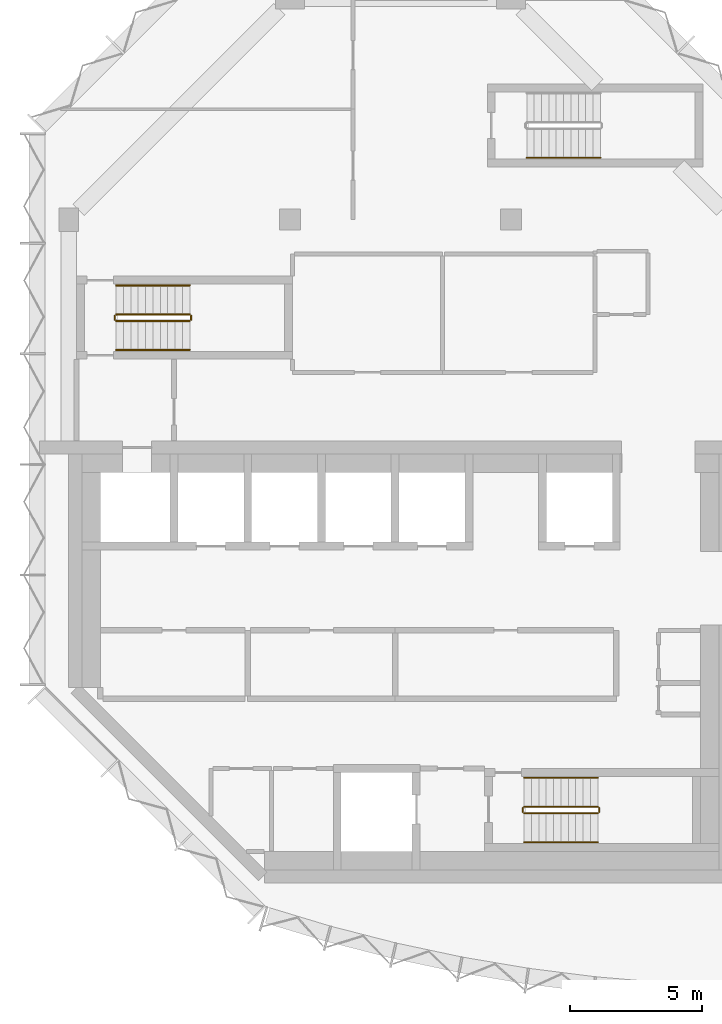
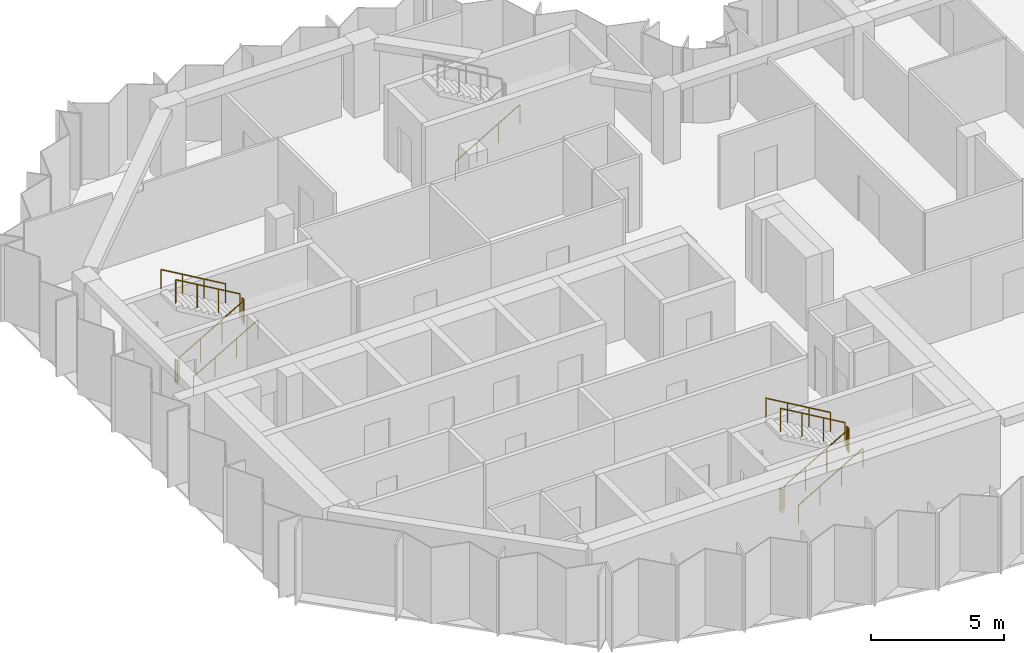
# One storey, part 9 of 10: 13 railings.
"""IFC4 building model written with IfcOpenShell, lengths in metres."""

from ifc_helpers import new_model, si_unit, direction, frame, origin, origin_2d, place, context, subcontext, project, spatial, circle, extrude, material, type_object, element, save


model = new_model("IFC4")

# Units and contexts
model_context = context("Model", 3, precision=1e-05, world=origin(), true_north=direction((0.0, 1.0)))
body_context = subcontext(model_context, "Body", "Model", "MODEL_VIEW")
ifc_project = project(units=[si_unit("LENGTHUNIT", "METRE"), si_unit("AREAUNIT", "SQUARE_METRE"), si_unit("VOLUMEUNIT", "CUBIC_METRE"), si_unit("PLANEANGLEUNIT", "RADIAN"), si_unit("MASSUNIT", "GRAM", prefix="KILO")], contexts=[model_context])

# Site, building, storey
site_placement = place(None, origin())
site = spatial("IfcSite", under=ifc_project, at=site_placement, CompositionType="ELEMENT")
building_placement = place(site_placement, origin())
building = spatial("IfcBuilding", under=site, at=building_placement, Name="Brevane Broadcast Tower", CompositionType="ELEMENT")
storey_placement = place(building_placement, frame((0.0, 0.0, 230.10009765625)))
storey = spatial("IfcBuildingStorey", under=building, at=storey_placement, Name="L58", CompositionType="ELEMENT", Elevation=230.10009765625)

# Railings
ifc_material = material(Name="Steel S355", Category="steel")
railing_type_1 = type_object("IfcRailingType", Name="Exit stair guard", PredefinedType="GUARDRAIL", material=ifc_material)
railing_1_placement = place(storey_placement, frame((1.800048828125, 21.35009765625, 0.16357421875)))
element("IfcRailing", 1, at=railing_1_placement, inside=storey, type_object=railing_type_1, Name="L58 ST-1 stair guard 1", PredefinedType="GUARDRAIL", context=body_context, shape_type="SweptSolid", body=[
    extrude(circle(Radius=0.02392578125, at=origin_2d()), frame((0.0, 0.0, 1.076171875), z_axis=(0.863393664356, 0.0, 0.504530851732), x_axis=(0.0, 1.0, 0.0)), (0.0, 0.0, 1.0), 3.2431640625),
    extrude(circle(Radius=0.02099609375, at=origin_2d()), origin(), (0.0, 0.0, 1.0), 1.052001953125),
    extrude(circle(Radius=0.02099609375, at=origin_2d()), frame((0.933349609375, 0.0, 0.54541015625)), (0.0, 0.0, 1.0), 1.052001953125),
    extrude(circle(Radius=0.02099609375, at=origin_2d()), frame((1.86669921875, 0.0, 1.0908203125)), (0.0, 0.0, 1.0), 1.052001953125),
    extrude(circle(Radius=0.02099609375, at=origin_2d()), frame((2.800048828125, 0.0, 1.63623046875)), (0.0, 0.0, 1.0), 1.052001953125),
])
railing_2_placement = place(storey_placement, frame((4.64990234375, 21.39990234375, 1.7998046875)))
element("IfcRailing", 2, at=railing_2_placement, inside=storey, type_object=railing_type_1, Name="L58 ST-1 stair guard 2", PredefinedType="GUARDRAIL", context=body_context, shape_type="SweptSolid", body=[
    extrude(circle(Radius=0.02392578125, at=origin_2d()), frame((0.0, 0.0, 1.076171875), z_axis=(0.0, 1.0, 0.0), x_axis=(-1.0, 0.0, 0.0)), (0.0, 0.0, 1.0), 0.150146484375),
    extrude(circle(Radius=0.02099609375, at=origin_2d()), origin(), (0.0, 0.0, 1.0), 1.052001953125),
    extrude(circle(Radius=0.02099609375, at=origin_2d()), frame((0.0, 0.150146484375, 0.0)), (0.0, 0.0, 1.0), 1.052001953125),
])
railing_3_placement = place(storey_placement, frame((4.60009765625, 21.60009765625, 1.963623046875)))
element("IfcRailing", 3, at=railing_3_placement, inside=storey, type_object=railing_type_1, Name="L58 ST-1 stair guard 3", PredefinedType="GUARDRAIL", context=body_context, shape_type="SweptSolid", body=[
    extrude(circle(Radius=0.02392578125, at=origin_2d()), frame((0.0, 0.0, 1.076171875), z_axis=(-0.863393664356, 0.0, 0.504530851732), x_axis=(0.0, -1.0, 0.0)), (0.0, 0.0, 1.0), 3.2431640625),
    extrude(circle(Radius=0.02099609375, at=origin_2d()), origin(), (0.0, 0.0, 1.0), 1.052001953125),
    extrude(circle(Radius=0.02099609375, at=origin_2d()), frame((-0.933349609375, 0.0, 0.54541015625)), (0.0, 0.0, 1.0), 1.052001953125),
    extrude(circle(Radius=0.02099609375, at=origin_2d()), frame((-1.86669921875, 0.0, 1.0908203125)), (0.0, 0.0, 1.0), 1.052001953125),
    extrude(circle(Radius=0.02099609375, at=origin_2d()), frame((-2.800048828125, 0.0, 1.63623046875)), (0.0, 0.0, 1.0), 1.052001953125),
])
railing_4_placement = place(storey_placement, frame((1.75, 21.39990234375, 0.0)))
element("IfcRailing", 4, at=railing_4_placement, inside=storey, type_object=railing_type_1, Name="L58 ST-1 stair guard 4", PredefinedType="GUARDRAIL", context=body_context, shape_type="SweptSolid", body=[
    extrude(circle(Radius=0.02392578125, at=origin_2d()), frame((0.0, 0.0, 1.076171875), z_axis=(0.0, 1.0, 0.0), x_axis=(-1.0, 0.0, 0.0)), (0.0, 0.0, 1.0), 0.150146484375),
    extrude(circle(Radius=0.02099609375, at=origin_2d()), origin(), (0.0, 0.0, 1.0), 1.052001953125),
    extrude(circle(Radius=0.02099609375, at=origin_2d()), frame((0.0, 0.150146484375, 0.0)), (0.0, 0.0, 1.0), 1.052001953125),
])
railing_5_placement = place(storey_placement, frame((17.300048828125, 2.64990234375, 0.16357421875)))
element("IfcRailing", 5, at=railing_5_placement, inside=storey, type_object=railing_type_1, Name="L58 ST-2 stair guard 1", PredefinedType="GUARDRAIL", context=body_context, shape_type="SweptSolid", body=[
    extrude(circle(Radius=0.02392578125, at=origin_2d()), frame((0.0, 0.0, 1.076171875), z_axis=(0.863393664356, 0.0, 0.504530851732), x_axis=(0.0, 1.0, 0.0)), (0.0, 0.0, 1.0), 3.2431640625),
    extrude(circle(Radius=0.02099609375, at=origin_2d()), origin(), (0.0, 0.0, 1.0), 1.052001953125),
    extrude(circle(Radius=0.02099609375, at=origin_2d()), frame((0.933349609375, 0.0, 0.54541015625)), (0.0, 0.0, 1.0), 1.052001953125),
    extrude(circle(Radius=0.02099609375, at=origin_2d()), frame((1.86669921875, 0.0, 1.0908203125)), (0.0, 0.0, 1.0), 1.052001953125),
    extrude(circle(Radius=0.02099609375, at=origin_2d()), frame((2.800048828125, 0.0, 1.63623046875)), (0.0, 0.0, 1.0), 1.052001953125),
])
railing_6_placement = place(storey_placement, frame((20.14990234375, 2.699951171875, 1.7998046875)))
element("IfcRailing", 6, at=railing_6_placement, inside=storey, type_object=railing_type_1, Name="L58 ST-2 stair guard 2", PredefinedType="GUARDRAIL", context=body_context, shape_type="SweptSolid", body=[
    extrude(circle(Radius=0.02392578125, at=origin_2d()), frame((0.0, 0.0, 1.076171875), z_axis=(0.0, 1.0, 0.0), x_axis=(-1.0, 0.0, 0.0)), (0.0, 0.0, 1.0), 0.150146484375),
    extrude(circle(Radius=0.02099609375, at=origin_2d()), origin(), (0.0, 0.0, 1.0), 1.052001953125),
    extrude(circle(Radius=0.02099609375, at=origin_2d()), frame((0.0, 0.150146484375, 0.0)), (0.0, 0.0, 1.0), 1.052001953125),
])
railing_7_placement = place(storey_placement, frame((20.10009765625, 2.89990234375, 1.963623046875)))
element("IfcRailing", 7, at=railing_7_placement, inside=storey, type_object=railing_type_1, Name="L58 ST-2 stair guard 3", PredefinedType="GUARDRAIL", context=body_context, shape_type="SweptSolid", body=[
    extrude(circle(Radius=0.02392578125, at=origin_2d()), frame((0.0, 0.0, 1.076171875), z_axis=(-0.863393664356, 0.0, 0.504530851732), x_axis=(0.0, -1.0, 0.0)), (0.0, 0.0, 1.0), 3.2431640625),
    extrude(circle(Radius=0.02099609375, at=origin_2d()), origin(), (0.0, 0.0, 1.0), 1.052001953125),
    extrude(circle(Radius=0.02099609375, at=origin_2d()), frame((-0.933349609375, 0.0, 0.54541015625)), (0.0, 0.0, 1.0), 1.052001953125),
    extrude(circle(Radius=0.02099609375, at=origin_2d()), frame((-1.86669921875, 0.0, 1.0908203125)), (0.0, 0.0, 1.0), 1.052001953125),
    extrude(circle(Radius=0.02099609375, at=origin_2d()), frame((-2.800048828125, 0.0, 1.63623046875)), (0.0, 0.0, 1.0), 1.052001953125),
])
railing_8_placement = place(storey_placement, frame((17.25, 2.699951171875, 0.0)))
element("IfcRailing", 8, at=railing_8_placement, inside=storey, type_object=railing_type_1, Name="L58 ST-2 stair guard 4", PredefinedType="GUARDRAIL", context=body_context, shape_type="SweptSolid", body=[
    extrude(circle(Radius=0.02392578125, at=origin_2d()), frame((0.0, 0.0, 1.076171875), z_axis=(0.0, 1.0, 0.0), x_axis=(-1.0, 0.0, 0.0)), (0.0, 0.0, 1.0), 0.150146484375),
    extrude(circle(Radius=0.02099609375, at=origin_2d()), origin(), (0.0, 0.0, 1.0), 1.052001953125),
    extrude(circle(Radius=0.02099609375, at=origin_2d()), frame((0.0, 0.150146484375, 0.0)), (0.0, 0.0, 1.0), 1.052001953125),
])
railing_type_2 = type_object("IfcRailingType", Name="Exit stair handrail", PredefinedType="HANDRAIL", material=ifc_material)
railing_9_placement = place(storey_placement, frame((1.800048828125, 20.25, 0.16357421875)))
element("IfcRailing", 9, at=railing_9_placement, inside=storey, type_object=railing_type_2, Name="L58 ST-1 stair handrail 1", PredefinedType="HANDRAIL", context=body_context, shape_type="SweptSolid", body=[
    extrude(circle(Radius=0.02392578125, at=origin_2d()), frame((0.0, 0.0, 0.8759765625), z_axis=(0.863393664356, 0.0, 0.504530851732), x_axis=(0.0, 1.0, 0.0)), (0.0, 0.0, 1.0), 3.2431640625),
    extrude(circle(Radius=0.02099609375, at=origin_2d()), origin(), (0.0, 0.0, 1.0), 0.851806640625),
    extrude(circle(Radius=0.02099609375, at=origin_2d()), frame((0.933349609375, 0.0, 0.54541015625)), (0.0, 0.0, 1.0), 0.851806640625),
    extrude(circle(Radius=0.02099609375, at=origin_2d()), frame((1.86669921875, 0.0, 1.0908203125)), (0.0, 0.0, 1.0), 0.851806640625),
    extrude(circle(Radius=0.02099609375, at=origin_2d()), frame((2.800048828125, 0.0, 1.63623046875)), (0.0, 0.0, 1.0), 0.851806640625),
])
railing_10_placement = place(storey_placement, frame((4.60009765625, 22.699951171875, 1.963623046875)))
element("IfcRailing", 10, at=railing_10_placement, inside=storey, type_object=railing_type_2, Name="L58 ST-1 stair handrail 2", PredefinedType="HANDRAIL", context=body_context, shape_type="SweptSolid", body=[
    extrude(circle(Radius=0.02392578125, at=origin_2d()), frame((0.0, 0.0, 0.8759765625), z_axis=(-0.863393664356, 0.0, 0.504530851732), x_axis=(0.0, -1.0, 0.0)), (0.0, 0.0, 1.0), 3.2431640625),
    extrude(circle(Radius=0.02099609375, at=origin_2d()), origin(), (0.0, 0.0, 1.0), 0.851806640625),
    extrude(circle(Radius=0.02099609375, at=origin_2d()), frame((-0.933349609375, 0.0, 0.54541015625)), (0.0, 0.0, 1.0), 0.851806640625),
    extrude(circle(Radius=0.02099609375, at=origin_2d()), frame((-1.86669921875, 0.0, 1.0908203125)), (0.0, 0.0, 1.0), 0.851806640625),
    extrude(circle(Radius=0.02099609375, at=origin_2d()), frame((-2.800048828125, 0.0, 1.63623046875)), (0.0, 0.0, 1.0), 0.851806640625),
])
railing_11_placement = place(storey_placement, frame((17.300048828125, 1.550048828125, 0.16357421875)))
element("IfcRailing", 11, at=railing_11_placement, inside=storey, type_object=railing_type_2, Name="L58 ST-2 stair handrail 1", PredefinedType="HANDRAIL", context=body_context, shape_type="SweptSolid", body=[
    extrude(circle(Radius=0.02392578125, at=origin_2d()), frame((0.0, 0.0, 0.8759765625), z_axis=(0.863393664356, 0.0, 0.504530851732), x_axis=(0.0, 1.0, 0.0)), (0.0, 0.0, 1.0), 3.2431640625),
    extrude(circle(Radius=0.02099609375, at=origin_2d()), origin(), (0.0, 0.0, 1.0), 0.851806640625),
    extrude(circle(Radius=0.02099609375, at=origin_2d()), frame((0.933349609375, 0.0, 0.54541015625)), (0.0, 0.0, 1.0), 0.851806640625),
    extrude(circle(Radius=0.02099609375, at=origin_2d()), frame((1.86669921875, 0.0, 1.0908203125)), (0.0, 0.0, 1.0), 0.851806640625),
    extrude(circle(Radius=0.02099609375, at=origin_2d()), frame((2.800048828125, 0.0, 1.63623046875)), (0.0, 0.0, 1.0), 0.851806640625),
])
railing_12_placement = place(storey_placement, frame((20.10009765625, 4.0, 1.963623046875)))
element("IfcRailing", 12, at=railing_12_placement, inside=storey, type_object=railing_type_2, Name="L58 ST-2 stair handrail 2", PredefinedType="HANDRAIL", context=body_context, shape_type="SweptSolid", body=[
    extrude(circle(Radius=0.02392578125, at=origin_2d()), frame((0.0, 0.0, 0.8759765625), z_axis=(-0.863393664356, 0.0, 0.504530851732), x_axis=(0.0, -1.0, 0.0)), (0.0, 0.0, 1.0), 3.2431640625),
    extrude(circle(Radius=0.02099609375, at=origin_2d()), origin(), (0.0, 0.0, 1.0), 0.851806640625),
    extrude(circle(Radius=0.02099609375, at=origin_2d()), frame((-0.933349609375, 0.0, 0.54541015625)), (0.0, 0.0, 1.0), 0.851806640625),
    extrude(circle(Radius=0.02099609375, at=origin_2d()), frame((-1.86669921875, 0.0, 1.0908203125)), (0.0, 0.0, 1.0), 0.851806640625),
    extrude(circle(Radius=0.02099609375, at=origin_2d()), frame((-2.800048828125, 0.0, 1.63623046875)), (0.0, 0.0, 1.0), 0.851806640625),
])
railing_13_placement = place(storey_placement, frame((17.39990234375, 27.550048828125, 0.16357421875)))
element("IfcRailing", 13, at=railing_13_placement, inside=storey, type_object=railing_type_2, Name="L58 ST-3 stair handrail 1", PredefinedType="HANDRAIL", context=body_context, shape_type="SweptSolid", body=[
    extrude(circle(Radius=0.02392578125, at=origin_2d()), frame((0.0, 0.0, 0.8759765625), z_axis=(0.863393664356, 0.0, 0.504530851732), x_axis=(0.0, 1.0, 0.0)), (0.0, 0.0, 1.0), 3.2431640625),
    extrude(circle(Radius=0.02099609375, at=origin_2d()), origin(), (0.0, 0.0, 1.0), 0.851806640625),
    extrude(circle(Radius=0.02099609375, at=origin_2d()), frame((0.933349609375, 0.0, 0.54541015625)), (0.0, 0.0, 1.0), 0.851806640625),
    extrude(circle(Radius=0.02099609375, at=origin_2d()), frame((1.86669921875, 0.0, 1.0908203125)), (0.0, 0.0, 1.0), 0.851806640625),
    extrude(circle(Radius=0.02099609375, at=origin_2d()), frame((2.800048828125, 0.0, 1.63623046875)), (0.0, 0.0, 1.0), 0.851806640625),
])

save(model, "model.ifc")
